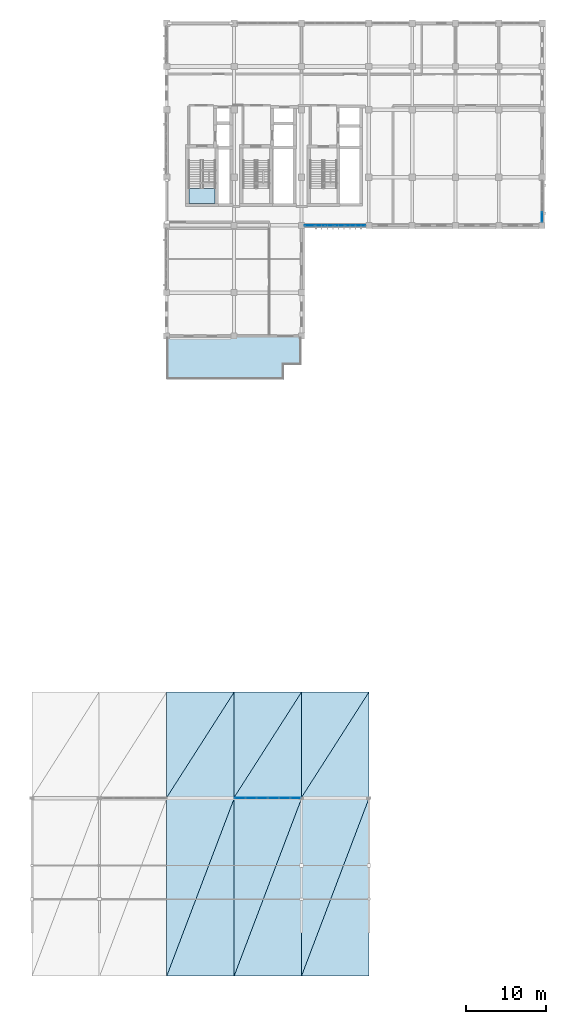
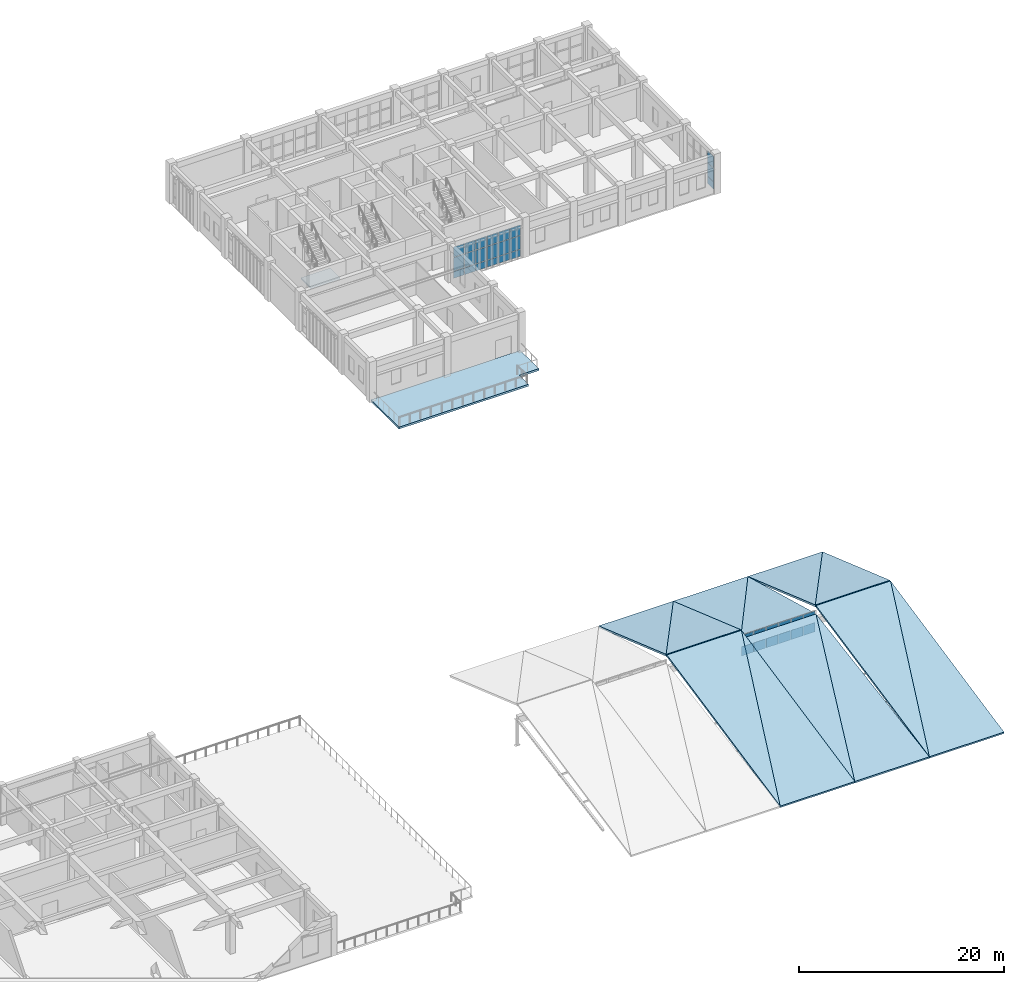
# One storey, part 59 of 76: 33 plates, 14 slabs, 4 elements without a shape of their own.
"""IFC4 building model written with IfcOpenShell, lengths in metres."""

from ifc_helpers import new_model, si_unit, direction, frame, origin, origin_2d, place, context, subcontext, project, spatial, polyline, rectangle, outline, extrude, material, layer, layer_set, type_object, element, aggregate, save


model = new_model("IFC4")

# Units and contexts
model_context = context("Model", 3, precision=1e-05, world=origin(), true_north=direction((0.0, 1.0)))
body_context = subcontext(model_context, "Body", "Model", "MODEL_VIEW")
ifc_project = project(units=[si_unit("LENGTHUNIT", "METRE"), si_unit("AREAUNIT", "SQUARE_METRE"), si_unit("VOLUMEUNIT", "CUBIC_METRE"), si_unit("PLANEANGLEUNIT", "RADIAN"), si_unit("MASSUNIT", "GRAM", prefix="KILO")], contexts=[model_context])

# Site, building, storey
site_placement = place(None, origin())
site = spatial("IfcSite", under=ifc_project, at=site_placement, CompositionType="ELEMENT")
building_placement = place(site_placement, origin())
building = spatial("IfcBuilding", under=site, at=building_placement, Name="Krzemoval Escarpment Law Courts", CompositionType="ELEMENT")
storey_placement = place(building_placement, frame((0.0, 0.0, 20.39990234375)))
storey = spatial("IfcBuildingStorey", under=building, at=storey_placement, Name="L04", CompositionType="ELEMENT", Elevation=20.39990234375)

# Curtain wall, plates
ifc_material_1 = material(Name="Aluminium 6063-T6", Category="aluminium")
ifc_layer_1 = layer(ifc_material_1, 0.219970703125)
ifc_layer_set_1 = layer_set([ifc_layer_1], Name="Aluminium 6063-T6")
curtain_wall_type_1 = type_object("IfcCurtainWallType", Name="CW-CHMB-4200", PredefinedType="USERDEFINED", material=ifc_layer_set_1)
curtain_wall_1_placement = place(storey_placement, origin())
curtain_wall_1 = element("IfcCurtainWall", 1, at=curtain_wall_1_placement, inside=storey, type_object=curtain_wall_type_1, Name="Unitised Curtain Wall FCW-L04-131", ObjectType="UNITISED_CURTAIN_WALL", PredefinedType="USERDEFINED")
ifc_material_2 = material(Name="Triple Glazing IGU", Category="glass")
ifc_layer_2 = layer(ifc_material_2, 0.0419921875)
ifc_layer_set_2 = layer_set([ifc_layer_2], Name="Triple Glazing IGU")
plate_type = type_object("IfcPlateType", Name="CWP-GLZ-42", PredefinedType="CURTAIN_PANEL", material=ifc_layer_set_2)
plate_1_placement = place(storey_placement, frame((172.800048828125, 94.644287109375, 0.06494140625), z_axis=(0.0, 0.0, 1.0), x_axis=(0.0, -1.0, 0.0)))
plate_1 = element("IfcPlate", 2, at=plate_1_placement, type_object=plate_type, Name="FCW-L04-131 panel 4.1", PredefinedType="CURTAIN_PANEL", context=body_context, shape_type="SweptSolid", body=[
    extrude(rectangle(XDim=1.208740234375, YDim=0.0419921875, at=origin_2d()), origin(), (0.0, 0.0, 1.0), 0.802490234375),
])
plate_2_placement = place(storey_placement, frame((172.800048828125, 94.644287109375, 0.9326171875), z_axis=(0.0, 0.0, 1.0), x_axis=(0.0, -1.0, 0.0)))
plate_2 = element("IfcPlate", 3, at=plate_2_placement, type_object=plate_type, Name="FCW-L04-131 panel 4.2", PredefinedType="CURTAIN_PANEL", context=body_context, shape_type="SweptSolid", body=[
    extrude(rectangle(XDim=1.208740234375, YDim=0.0419921875, at=origin_2d()), origin(), (0.0, 0.0, 1.0), 1.5849609375),
])
plate_3_placement = place(storey_placement, frame((172.800048828125, 94.644287109375, 2.58251953125), z_axis=(0.0, 0.0, 1.0), x_axis=(0.0, -1.0, 0.0)))
plate_3 = element("IfcPlate", 4, at=plate_3_placement, type_object=plate_type, Name="FCW-L04-131 panel 4.3", PredefinedType="CURTAIN_PANEL", context=body_context, shape_type="SweptSolid", body=[
    extrude(rectangle(XDim=1.208740234375, YDim=0.0419921875, at=origin_2d()), origin(), (0.0, 0.0, 1.0), 1.3525390625),
])
aggregate(curtain_wall_1, [plate_1, plate_2, plate_3])

curtain_wall_2_placement = place(storey_placement, origin())
curtain_wall_2 = element("IfcCurtainWall", 5, at=curtain_wall_2_placement, inside=storey, type_object=curtain_wall_type_1, Name="Unitised Curtain Wall FCW-L04-132", ObjectType="UNITISED_CURTAIN_WALL", PredefinedType="USERDEFINED")
plate_4_placement = place(storey_placement, frame((150.171142578125, 93.60009765625, 0.06494140625), z_axis=(0.0, 0.0, 1.0), x_axis=(-1.0, 0.0, 0.0)))
plate_4 = element("IfcPlate", 6, at=plate_4_placement, type_object=plate_type, Name="FCW-L04-132 panel 1.1", PredefinedType="CURTAIN_PANEL", context=body_context, shape_type="SweptSolid", body=[
    extrude(rectangle(XDim=1.177490234375, YDim=0.0419921875, at=origin_2d()), origin(), (0.0, 0.0, 1.0), 0.802490234375),
])
plate_5_placement = place(storey_placement, frame((150.171142578125, 93.60009765625, 0.9326171875), z_axis=(0.0, 0.0, 1.0), x_axis=(-1.0, 0.0, 0.0)))
plate_5 = element("IfcPlate", 7, at=plate_5_placement, type_object=plate_type, Name="FCW-L04-132 panel 1.2", PredefinedType="CURTAIN_PANEL", context=body_context, shape_type="SweptSolid", body=[
    extrude(rectangle(XDim=1.177490234375, YDim=0.0419921875, at=origin_2d()), origin(), (0.0, 0.0, 1.0), 1.5849609375),
])
plate_6_placement = place(storey_placement, frame((150.171142578125, 93.60009765625, 2.58251953125), z_axis=(0.0, 0.0, 1.0), x_axis=(-1.0, 0.0, 0.0)))
plate_6 = element("IfcPlate", 8, at=plate_6_placement, type_object=plate_type, Name="FCW-L04-132 panel 1.3", PredefinedType="CURTAIN_PANEL", context=body_context, shape_type="SweptSolid", body=[
    extrude(rectangle(XDim=1.177490234375, YDim=0.0419921875, at=origin_2d()), origin(), (0.0, 0.0, 1.0), 1.202392578125),
])
plate_7_placement = place(storey_placement, frame((148.91259765625, 93.60009765625, 0.06494140625), z_axis=(0.0, 0.0, 1.0), x_axis=(-1.0, 0.0, 0.0)))
plate_7 = element("IfcPlate", 9, at=plate_7_placement, type_object=plate_type, Name="FCW-L04-132 panel 2.1", PredefinedType="CURTAIN_PANEL", context=body_context, shape_type="SweptSolid", body=[
    extrude(rectangle(XDim=1.2099609375, YDim=0.0419921875, at=origin_2d()), origin(), (0.0, 0.0, 1.0), 0.802490234375),
])
plate_8_placement = place(storey_placement, frame((148.91259765625, 93.60009765625, 0.9326171875), z_axis=(0.0, 0.0, 1.0), x_axis=(-1.0, 0.0, 0.0)))
plate_8 = element("IfcPlate", 10, at=plate_8_placement, type_object=plate_type, Name="FCW-L04-132 panel 2.2", PredefinedType="CURTAIN_PANEL", context=body_context, shape_type="SweptSolid", body=[
    extrude(rectangle(XDim=1.2099609375, YDim=0.0419921875, at=origin_2d()), origin(), (0.0, 0.0, 1.0), 1.5849609375),
])
plate_9_placement = place(storey_placement, frame((148.91259765625, 93.60009765625, 2.58251953125), z_axis=(0.0, 0.0, 1.0), x_axis=(-1.0, 0.0, 0.0)))
plate_9 = element("IfcPlate", 11, at=plate_9_placement, type_object=plate_type, Name="FCW-L04-132 panel 2.3", PredefinedType="CURTAIN_PANEL", context=body_context, shape_type="SweptSolid", body=[
    extrude(rectangle(XDim=1.2099609375, YDim=0.0419921875, at=origin_2d()), origin(), (0.0, 0.0, 1.0), 1.202392578125),
])
plate_10_placement = place(storey_placement, frame((147.637451171875, 93.60009765625, 0.06494140625), z_axis=(0.0, 0.0, 1.0), x_axis=(-1.0, 0.0, 0.0)))
plate_10 = element("IfcPlate", 12, at=plate_10_placement, type_object=plate_type, Name="FCW-L04-132 panel 3.1", PredefinedType="CURTAIN_PANEL", context=body_context, shape_type="SweptSolid", body=[
    extrude(rectangle(XDim=1.2099609375, YDim=0.0419921875, at=origin_2d()), origin(), (0.0, 0.0, 1.0), 0.802490234375),
])
plate_11_placement = place(storey_placement, frame((147.637451171875, 93.60009765625, 0.9326171875), z_axis=(0.0, 0.0, 1.0), x_axis=(-1.0, 0.0, 0.0)))
plate_11 = element("IfcPlate", 13, at=plate_11_placement, type_object=plate_type, Name="FCW-L04-132 panel 3.2", PredefinedType="CURTAIN_PANEL", context=body_context, shape_type="SweptSolid", body=[
    extrude(rectangle(XDim=1.2099609375, YDim=0.0419921875, at=origin_2d()), origin(), (0.0, 0.0, 1.0), 1.5849609375),
])
plate_12_placement = place(storey_placement, frame((147.637451171875, 93.60009765625, 2.58251953125), z_axis=(0.0, 0.0, 1.0), x_axis=(-1.0, 0.0, 0.0)))
plate_12 = element("IfcPlate", 14, at=plate_12_placement, type_object=plate_type, Name="FCW-L04-132 panel 3.3", PredefinedType="CURTAIN_PANEL", context=body_context, shape_type="SweptSolid", body=[
    extrude(rectangle(XDim=1.2099609375, YDim=0.0419921875, at=origin_2d()), origin(), (0.0, 0.0, 1.0), 1.202392578125),
])
plate_13_placement = place(storey_placement, frame((146.362548828125, 93.60009765625, 0.06494140625), z_axis=(0.0, 0.0, 1.0), x_axis=(-1.0, 0.0, 0.0)))
plate_13 = element("IfcPlate", 15, at=plate_13_placement, type_object=plate_type, Name="FCW-L04-132 panel 4.1", PredefinedType="CURTAIN_PANEL", context=body_context, shape_type="SweptSolid", body=[
    extrude(rectangle(XDim=1.2099609375, YDim=0.0419921875, at=origin_2d()), origin(), (0.0, 0.0, 1.0), 0.802490234375),
])
plate_14_placement = place(storey_placement, frame((146.362548828125, 93.60009765625, 0.9326171875), z_axis=(0.0, 0.0, 1.0), x_axis=(-1.0, 0.0, 0.0)))
plate_14 = element("IfcPlate", 16, at=plate_14_placement, type_object=plate_type, Name="FCW-L04-132 panel 4.2", PredefinedType="CURTAIN_PANEL", context=body_context, shape_type="SweptSolid", body=[
    extrude(rectangle(XDim=1.2099609375, YDim=0.0419921875, at=origin_2d()), origin(), (0.0, 0.0, 1.0), 1.5849609375),
])
plate_15_placement = place(storey_placement, frame((146.362548828125, 93.60009765625, 2.58251953125), z_axis=(0.0, 0.0, 1.0), x_axis=(-1.0, 0.0, 0.0)))
plate_15 = element("IfcPlate", 17, at=plate_15_placement, type_object=plate_type, Name="FCW-L04-132 panel 4.3", PredefinedType="CURTAIN_PANEL", context=body_context, shape_type="SweptSolid", body=[
    extrude(rectangle(XDim=1.2099609375, YDim=0.0419921875, at=origin_2d()), origin(), (0.0, 0.0, 1.0), 1.202392578125),
])
plate_16_placement = place(storey_placement, frame((145.08740234375, 93.60009765625, 0.06494140625), z_axis=(0.0, 0.0, 1.0), x_axis=(-1.0, 0.0, 0.0)))
plate_16 = element("IfcPlate", 18, at=plate_16_placement, type_object=plate_type, Name="FCW-L04-132 panel 5.1", PredefinedType="CURTAIN_PANEL", context=body_context, shape_type="SweptSolid", body=[
    extrude(rectangle(XDim=1.2099609375, YDim=0.0419921875, at=origin_2d()), origin(), (0.0, 0.0, 1.0), 0.802490234375),
])
plate_17_placement = place(storey_placement, frame((145.08740234375, 93.60009765625, 0.9326171875), z_axis=(0.0, 0.0, 1.0), x_axis=(-1.0, 0.0, 0.0)))
plate_17 = element("IfcPlate", 19, at=plate_17_placement, type_object=plate_type, Name="FCW-L04-132 panel 5.2", PredefinedType="CURTAIN_PANEL", context=body_context, shape_type="SweptSolid", body=[
    extrude(rectangle(XDim=1.2099609375, YDim=0.0419921875, at=origin_2d()), origin(), (0.0, 0.0, 1.0), 1.5849609375),
])
plate_18_placement = place(storey_placement, frame((145.08740234375, 93.60009765625, 2.58251953125), z_axis=(0.0, 0.0, 1.0), x_axis=(-1.0, 0.0, 0.0)))
plate_18 = element("IfcPlate", 20, at=plate_18_placement, type_object=plate_type, Name="FCW-L04-132 panel 5.3", PredefinedType="CURTAIN_PANEL", context=body_context, shape_type="SweptSolid", body=[
    extrude(rectangle(XDim=1.2099609375, YDim=0.0419921875, at=origin_2d()), origin(), (0.0, 0.0, 1.0), 1.202392578125),
])
plate_19_placement = place(storey_placement, frame((143.828857421875, 93.60009765625, 0.06494140625), z_axis=(0.0, 0.0, 1.0), x_axis=(-1.0, 0.0, 0.0)))
plate_19 = element("IfcPlate", 21, at=plate_19_placement, type_object=plate_type, Name="FCW-L04-132 panel 6.1", PredefinedType="CURTAIN_PANEL", context=body_context, shape_type="SweptSolid", body=[
    extrude(rectangle(XDim=1.177490234375, YDim=0.0419921875, at=origin_2d()), origin(), (0.0, 0.0, 1.0), 0.802490234375),
])
plate_20_placement = place(storey_placement, frame((143.828857421875, 93.60009765625, 0.9326171875), z_axis=(0.0, 0.0, 1.0), x_axis=(-1.0, 0.0, 0.0)))
plate_20 = element("IfcPlate", 22, at=plate_20_placement, type_object=plate_type, Name="FCW-L04-132 panel 6.2", PredefinedType="CURTAIN_PANEL", context=body_context, shape_type="SweptSolid", body=[
    extrude(rectangle(XDim=1.177490234375, YDim=0.0419921875, at=origin_2d()), origin(), (0.0, 0.0, 1.0), 1.5849609375),
])
plate_21_placement = place(storey_placement, frame((143.828857421875, 93.60009765625, 2.58251953125), z_axis=(0.0, 0.0, 1.0), x_axis=(-1.0, 0.0, 0.0)))
plate_21 = element("IfcPlate", 23, at=plate_21_placement, type_object=plate_type, Name="FCW-L04-132 panel 6.3", PredefinedType="CURTAIN_PANEL", context=body_context, shape_type="SweptSolid", body=[
    extrude(rectangle(XDim=1.177490234375, YDim=0.0419921875, at=origin_2d()), origin(), (0.0, 0.0, 1.0), 1.202392578125),
])
aggregate(curtain_wall_2, [plate_4, plate_5, plate_6, plate_7, plate_8, plate_9, plate_10, plate_11, plate_12, plate_13, plate_14, plate_15, plate_16, plate_17, plate_18, plate_19, plate_20, plate_21])

ifc_material_3 = material(Name="Aluminium 6063-T6", Category="aluminium")
ifc_layer_3 = layer(ifc_material_3, 0.199951171875)
ifc_layer_set_3 = layer_set([ifc_layer_3], Name="Aluminium 6063-T6")
curtain_wall_type_2 = type_object("IfcCurtainWallType", Name="CW-CLER-2800", PredefinedType="USERDEFINED", material=ifc_layer_set_3)
curtain_wall_3_placement = place(storey_placement, origin())
curtain_wall_3 = element("IfcCurtainWall", 24, at=curtain_wall_3_placement, inside=storey, type_object=curtain_wall_type_2, Name="Clerestory Curtain Wall CW-CLER-V3-02", ObjectType="UNITISED_CURTAIN_WALL", PredefinedType="USERDEFINED")
plate_22_placement = place(storey_placement, frame((135.1162109375, 22.199951171875, 1.465087890625), z_axis=(0.0, 0.0, 1.0), x_axis=(1.0, 0.0, 0.0)))
plate_22 = element("IfcPlate", 25, at=plate_22_placement, type_object=plate_type, Name="CW-CLER-V3-02 panel 1.1", PredefinedType="CURTAIN_PANEL", context=body_context, shape_type="SweptSolid", body=[
    extrude(rectangle(XDim=1.302490234375, YDim=0.0419921875, at=origin_2d()), origin(), (0.0, 0.0, 1.0), 1.1025390625),
])
plate_23_placement = place(storey_placement, frame((135.1162109375, 22.199951171875, 2.6328125), z_axis=(0.0, 0.0, 1.0), x_axis=(1.0, 0.0, 0.0)))
plate_23 = element("IfcPlate", 26, at=plate_23_placement, type_object=plate_type, Name="CW-CLER-V3-02 panel 1.2", PredefinedType="CURTAIN_PANEL", context=body_context, shape_type="SweptSolid", body=[
    extrude(rectangle(XDim=1.302490234375, YDim=0.0419921875, at=origin_2d()), origin(), (0.0, 0.0, 1.0), 1.302490234375),
])
plate_24_placement = place(storey_placement, frame((136.5, 22.199951171875, 1.465087890625), z_axis=(0.0, 0.0, 1.0), x_axis=(1.0, 0.0, 0.0)))
plate_24 = element("IfcPlate", 27, at=plate_24_placement, type_object=plate_type, Name="CW-CLER-V3-02 panel 2.1", PredefinedType="CURTAIN_PANEL", context=body_context, shape_type="SweptSolid", body=[
    extrude(rectangle(XDim=1.3349609375, YDim=0.0419921875, at=origin_2d()), origin(), (0.0, 0.0, 1.0), 1.1025390625),
])
plate_25_placement = place(storey_placement, frame((136.5, 22.199951171875, 2.6328125), z_axis=(0.0, 0.0, 1.0), x_axis=(1.0, 0.0, 0.0)))
plate_25 = element("IfcPlate", 28, at=plate_25_placement, type_object=plate_type, Name="CW-CLER-V3-02 panel 2.2", PredefinedType="CURTAIN_PANEL", context=body_context, shape_type="SweptSolid", body=[
    extrude(rectangle(XDim=1.3349609375, YDim=0.0419921875, at=origin_2d()), origin(), (0.0, 0.0, 1.0), 1.302490234375),
])
plate_26_placement = place(storey_placement, frame((137.89990234375, 22.199951171875, 1.465087890625), z_axis=(0.0, 0.0, 1.0), x_axis=(1.0, 0.0, 0.0)))
plate_26 = element("IfcPlate", 29, at=plate_26_placement, type_object=plate_type, Name="CW-CLER-V3-02 panel 3.1", PredefinedType="CURTAIN_PANEL", context=body_context, shape_type="SweptSolid", body=[
    extrude(rectangle(XDim=1.3349609375, YDim=0.0419921875, at=origin_2d()), origin(), (0.0, 0.0, 1.0), 1.1025390625),
])
plate_27_placement = place(storey_placement, frame((137.89990234375, 22.199951171875, 2.6328125), z_axis=(0.0, 0.0, 1.0), x_axis=(1.0, 0.0, 0.0)))
plate_27 = element("IfcPlate", 30, at=plate_27_placement, type_object=plate_type, Name="CW-CLER-V3-02 panel 3.2", PredefinedType="CURTAIN_PANEL", context=body_context, shape_type="SweptSolid", body=[
    extrude(rectangle(XDim=1.3349609375, YDim=0.0419921875, at=origin_2d()), origin(), (0.0, 0.0, 1.0), 1.302490234375),
])
plate_28_placement = place(storey_placement, frame((139.300048828125, 22.199951171875, 1.465087890625), z_axis=(0.0, 0.0, 1.0), x_axis=(1.0, 0.0, 0.0)))
plate_28 = element("IfcPlate", 31, at=plate_28_placement, type_object=plate_type, Name="CW-CLER-V3-02 panel 4.1", PredefinedType="CURTAIN_PANEL", context=body_context, shape_type="SweptSolid", body=[
    extrude(rectangle(XDim=1.3349609375, YDim=0.0419921875, at=origin_2d()), origin(), (0.0, 0.0, 1.0), 1.1025390625),
])
plate_29_placement = place(storey_placement, frame((139.300048828125, 22.199951171875, 2.6328125), z_axis=(0.0, 0.0, 1.0), x_axis=(1.0, 0.0, 0.0)))
plate_29 = element("IfcPlate", 32, at=plate_29_placement, type_object=plate_type, Name="CW-CLER-V3-02 panel 4.2", PredefinedType="CURTAIN_PANEL", context=body_context, shape_type="SweptSolid", body=[
    extrude(rectangle(XDim=1.3349609375, YDim=0.0419921875, at=origin_2d()), origin(), (0.0, 0.0, 1.0), 1.302490234375),
])
plate_30_placement = place(storey_placement, frame((140.699951171875, 22.199951171875, 1.465087890625), z_axis=(0.0, 0.0, 1.0), x_axis=(1.0, 0.0, 0.0)))
plate_30 = element("IfcPlate", 33, at=plate_30_placement, type_object=plate_type, Name="CW-CLER-V3-02 panel 5.1", PredefinedType="CURTAIN_PANEL", context=body_context, shape_type="SweptSolid", body=[
    extrude(rectangle(XDim=1.3349609375, YDim=0.0419921875, at=origin_2d()), origin(), (0.0, 0.0, 1.0), 1.1025390625),
])
plate_31_placement = place(storey_placement, frame((140.699951171875, 22.199951171875, 2.6328125), z_axis=(0.0, 0.0, 1.0), x_axis=(1.0, 0.0, 0.0)))
plate_31 = element("IfcPlate", 34, at=plate_31_placement, type_object=plate_type, Name="CW-CLER-V3-02 panel 5.2", PredefinedType="CURTAIN_PANEL", context=body_context, shape_type="SweptSolid", body=[
    extrude(rectangle(XDim=1.3349609375, YDim=0.0419921875, at=origin_2d()), origin(), (0.0, 0.0, 1.0), 1.302490234375),
])
plate_32_placement = place(storey_placement, frame((142.083740234375, 22.199951171875, 1.465087890625), z_axis=(0.0, 0.0, 1.0), x_axis=(1.0, 0.0, 0.0)))
plate_32 = element("IfcPlate", 35, at=plate_32_placement, type_object=plate_type, Name="CW-CLER-V3-02 panel 6.1", PredefinedType="CURTAIN_PANEL", context=body_context, shape_type="SweptSolid", body=[
    extrude(rectangle(XDim=1.302490234375, YDim=0.0419921875, at=origin_2d()), origin(), (0.0, 0.0, 1.0), 1.1025390625),
])
plate_33_placement = place(storey_placement, frame((142.083740234375, 22.199951171875, 2.6328125), z_axis=(0.0, 0.0, 1.0), x_axis=(1.0, 0.0, 0.0)))
plate_33 = element("IfcPlate", 36, at=plate_33_placement, type_object=plate_type, Name="CW-CLER-V3-02 panel 6.2", PredefinedType="CURTAIN_PANEL", context=body_context, shape_type="SweptSolid", body=[
    extrude(rectangle(XDim=1.302490234375, YDim=0.0419921875, at=origin_2d()), origin(), (0.0, 0.0, 1.0), 1.302490234375),
])
aggregate(curtain_wall_3, [plate_22, plate_23, plate_24, plate_25, plate_26, plate_27, plate_28, plate_29, plate_30, plate_31, plate_32, plate_33])

# Stair, slab
ifc_material_4 = material(Name="Concrete C40/50", Category="concrete")
stair_type = type_object("IfcStairType", Name="STR-CORE-1550", PredefinedType="HALF_TURN_STAIR", material=ifc_material_4)
stair_placement = place(storey_placement, origin())
stair = element("IfcStair", 37, at=stair_placement, inside=storey, type_object=stair_type, Name="L04 ST1", PredefinedType="HALF_TURN_STAIR")
ifc_material_5 = material(Name="Concrete C40/50", Category="concrete")
ifc_layer_4 = layer(ifc_material_5, 0.199951171875)
ifc_layer_set_4 = layer_set([ifc_layer_4], Name="Concrete C40/50")
slab_type_1 = type_object("IfcSlabType", Name="SL-LND-200", PredefinedType="LANDING", material=ifc_layer_set_4)
slab_1_placement = place(storey_placement, frame((0.0, 0.0, 2.2001953125)))
slab_1 = element("IfcSlab", 38, at=slab_1_placement, type_object=slab_type_1, Name="ST1 landing 1", PredefinedType="LANDING", context=body_context, shape_type="SweptSolid", body=[
    extrude(outline(polyline([(128.75, 98.219970703125), (128.75, 96.35009765625), (132.050048828125, 96.35009765625), (132.050048828125, 98.219970703125), (128.75, 98.219970703125)])), origin(), (0.0, 0.0, 1.0), 0.199951171875),
])
aggregate(stair, [slab_1])

# Slabs
ifc_material_6 = material(Name="Concrete C50/60", Category="concrete")
ifc_layer_5 = layer(ifc_material_6, 0.219970703125)
ifc_layer_set_5 = layer_set([ifc_layer_5], Name="Concrete C50/60")
slab_type_2 = type_object("IfcSlabType", Name="SL-ROOF-FP220", PredefinedType="ROOF", material=ifc_layer_set_5)
slab_2_placement = place(storey_placement, frame((126.0, 0.0, 0.0), z_axis=(0.0, -0.202916710403, 0.979196001135), x_axis=(1.0, 0.0, 0.0)))
element("IfcSlab", 39, at=slab_2_placement, inside=storey, type_object=slab_type_2, Name="Folded-Plate Roof Facet FPR-V3-03SA", PredefinedType="ROOF", context=body_context, shape_type="SweptSolid", body=[
    extrude(outline(polyline([(0.0, 0.0), (8.39990234375, 0.0), (8.39990234375, 22.601300955036088), (0.0, 0.0)])), origin(), (0.0, 0.0, -1.0), 0.219970703125),
])
slab_3_placement = place(storey_placement, frame((126.0, 0.0, 0.0), z_axis=(0.0, -0.202916710403, 0.979196001135), x_axis=(0.34837361282, 0.917855014489, 0.190205147847)))
element("IfcSlab", 40, at=slab_3_placement, inside=storey, type_object=slab_type_2, Name="Folded-Plate Roof Facet FPR-V3-03SB", PredefinedType="ROOF", context=body_context, shape_type="SweptSolid", body=[
    extrude(outline(polyline([(0.0, 0.0), (24.111764021834897, -7.771561172376096e-16), (21.185459695007495, 7.873696868138116), (0.0, 0.0)])), origin(), (0.0, 0.0, -1.0), 0.219970703125),
])
slab_4_placement = place(storey_placement, frame((126.0, 22.26611328125, 4.5771484375), z_axis=(0.0, 0.329089731104, 0.944298654495), x_axis=(1.0, 0.0, 0.0)))
element("IfcSlab", 41, at=slab_4_placement, inside=storey, type_object=slab_type_2, Name="Folded-Plate Roof Facet FPR-V3-03NA", PredefinedType="ROOF", context=body_context, shape_type="SweptSolid", body=[
    extrude(outline(polyline([(0.0, 0.0), (8.39990234375, 0.0), (8.39990234375, 13.908511888665636), (0.0, 0.0)])), origin(), (0.0, 0.0, -1.0), 0.219970703125),
])
slab_5_placement = place(storey_placement, frame((126.0, 22.26611328125, 4.5771484375), z_axis=(0.0, 0.329089731104, 0.944298654495), x_axis=(0.51697329519, 0.808321088997, -0.281701311929)))
element("IfcSlab", 42, at=slab_5_placement, inside=storey, type_object=slab_type_2, Name="Folded-Plate Roof Facet FPR-V3-03NB", PredefinedType="ROOF", context=body_context, shape_type="SweptSolid", body=[
    extrude(outline(polyline([(0.0, 0.0), (16.24823259132174, -7.771561172376096e-16), (11.905707397398663, 7.190329222273488), (0.0, 0.0)])), origin(), (0.0, 0.0, -1.0), 0.219970703125),
])
slab_6_placement = place(storey_placement, frame((134.39990234375, 0.0, 0.0), z_axis=(0.0, -0.160083489406, 0.987103478071), x_axis=(1.0, 0.0, 0.0)))
element("IfcSlab", 43, at=slab_6_placement, inside=storey, type_object=slab_type_2, Name="Folded-Plate Roof Facet FPR-V3-04SA", PredefinedType="ROOF", context=body_context, shape_type="SweptSolid", body=[
    extrude(outline(polyline([(0.0, 0.0), (8.400146484375, 0.0), (8.400146484375, 22.420246719092642), (0.0, 0.0)])), origin(), (0.0, 0.0, -1.0), 0.219970703125),
])
slab_7_placement = place(storey_placement, frame((134.39990234375, 0.0, 0.0), z_axis=(0.0, -0.160083489406, 0.987103478071), x_axis=(0.350850768995, 0.924354676625, 0.149907203621)))
element("IfcSlab", 44, at=slab_7_placement, inside=storey, type_object=slab_type_2, Name="Folded-Plate Roof Facet FPR-V3-04SB", PredefinedType="ROOF", context=body_context, shape_type="SweptSolid", body=[
    extrude(outline(polyline([(0.0, 0.0), (23.942220529932932, -1.1102230246251565e-16), (20.995022676219264, 7.8661608024514225), (0.0, 0.0)])), origin(), (0.0, 0.0, -1.0), 0.219970703125),
])
slab_8_placement = place(storey_placement, frame((134.39990234375, 22.26806640625, 3.58203125), z_axis=(0.0, 0.26315990053, 0.964752230758), x_axis=(1.0, 0.0, 0.0)))
element("IfcSlab", 45, at=slab_8_placement, inside=storey, type_object=slab_type_2, Name="Folded-Plate Roof Facet FPR-V3-04NA", PredefinedType="ROOF", context=body_context, shape_type="SweptSolid", body=[
    extrude(outline(polyline([(0.0, 0.0), (8.400146484375, 0.0), (8.400146484375, 13.611615002099974), (0.0, 0.0)])), origin(), (0.0, 0.0, -1.0), 0.219970703125),
])
slab_9_placement = place(storey_placement, frame((134.39990234375, 22.26806640625, 3.58203125), z_axis=(0.0, 0.26315990053, 0.964752230758), x_axis=(0.525174812587, 0.820998715943, -0.223947593521)))
element("IfcSlab", 46, at=slab_9_placement, inside=storey, type_object=slab_type_2, Name="Folded-Plate Roof Facet FPR-V3-04NB", PredefinedType="ROOF", context=body_context, shape_type="SweptSolid", body=[
    extrude(outline(polyline([(0.0, 0.0), (15.994953076653612, 4.440892098500626e-16), (11.583407721015691, 7.148477357739003), (0.0, 0.0)])), origin(), (0.0, 0.0, -1.0), 0.219970703125),
])
slab_10_placement = place(storey_placement, frame((142.800048828125, 0.0, 0.0), z_axis=(0.0, -0.202916710403, 0.979196001135), x_axis=(1.0, 0.0, 0.0)))
element("IfcSlab", 47, at=slab_10_placement, inside=storey, type_object=slab_type_2, Name="Folded-Plate Roof Facet FPR-V3-05SA", PredefinedType="ROOF", context=body_context, shape_type="SweptSolid", body=[
    extrude(outline(polyline([(0.0, 0.0), (8.39990234375, 0.0), (8.39990234375, 22.601300955036088), (0.0, 0.0)])), origin(), (0.0, 0.0, -1.0), 0.219970703125),
])
slab_11_placement = place(storey_placement, frame((142.800048828125, 0.0, 0.0), z_axis=(0.0, -0.202916710403, 0.979196001135), x_axis=(0.34837361282, 0.917855014489, 0.190205147847)))
element("IfcSlab", 48, at=slab_11_placement, inside=storey, type_object=slab_type_2, Name="Folded-Plate Roof Facet FPR-V3-05SB", PredefinedType="ROOF", context=body_context, shape_type="SweptSolid", body=[
    extrude(outline(polyline([(0.0, 0.0), (24.111764021834897, -7.771561172376096e-16), (21.185459695007495, 7.873696868138116), (0.0, 0.0)])), origin(), (0.0, 0.0, -1.0), 0.219970703125),
])
slab_12_placement = place(storey_placement, frame((142.800048828125, 22.26611328125, 4.5771484375), z_axis=(0.0, 0.329089731104, 0.944298654495), x_axis=(1.0, 0.0, 0.0)))
element("IfcSlab", 49, at=slab_12_placement, inside=storey, type_object=slab_type_2, Name="Folded-Plate Roof Facet FPR-V3-05NA", PredefinedType="ROOF", context=body_context, shape_type="SweptSolid", body=[
    extrude(outline(polyline([(0.0, 0.0), (8.39990234375, 0.0), (8.39990234375, 13.908511888665636), (0.0, 0.0)])), origin(), (0.0, 0.0, -1.0), 0.219970703125),
])
slab_13_placement = place(storey_placement, frame((142.800048828125, 22.26611328125, 4.5771484375), z_axis=(0.0, 0.329089731104, 0.944298654495), x_axis=(0.51697329519, 0.808321088997, -0.281701311929)))
element("IfcSlab", 50, at=slab_13_placement, inside=storey, type_object=slab_type_2, Name="Folded-Plate Roof Facet FPR-V3-05NB", PredefinedType="ROOF", context=body_context, shape_type="SweptSolid", body=[
    extrude(outline(polyline([(0.0, 0.0), (16.24823259132174, -7.771561172376096e-16), (11.905707397398663, 7.190329222273488), (0.0, 0.0)])), origin(), (0.0, 0.0, -1.0), 0.219970703125),
])
ifc_material_7 = material(Name="Concrete C40/50", Category="concrete")
ifc_layer_6 = layer(ifc_material_7, 0.22998046875)
ifc_layer_set_6 = layer_set([ifc_layer_6], Name="Concrete C40/50")
slab_type_3 = type_object("IfcSlabType", Name="SL-TER-320", PredefinedType="ROOF", material=ifc_layer_set_6)
slab_14_placement = place(storey_placement, frame((0.0, 0.0, -0.22998046875)))
element("IfcSlab", 51, at=slab_14_placement, inside=storey, type_object=slab_type_3, Name="Planted Roof Terrace Step 1", PredefinedType="ROOF", context=body_context, shape_type="SweptSolid", body=[
    extrude(outline(polyline([(126.0, 79.800048828125), (142.800048828125, 79.800048828125), (142.800048828125, 76.199951171875), (140.60009765625, 76.199951171875), (140.60009765625, 74.39990234375), (126.0, 74.39990234375), (126.0, 79.800048828125)])), origin(), (0.0, 0.0, 1.0), 0.22998046875),
])

save(model, "model.ifc")
